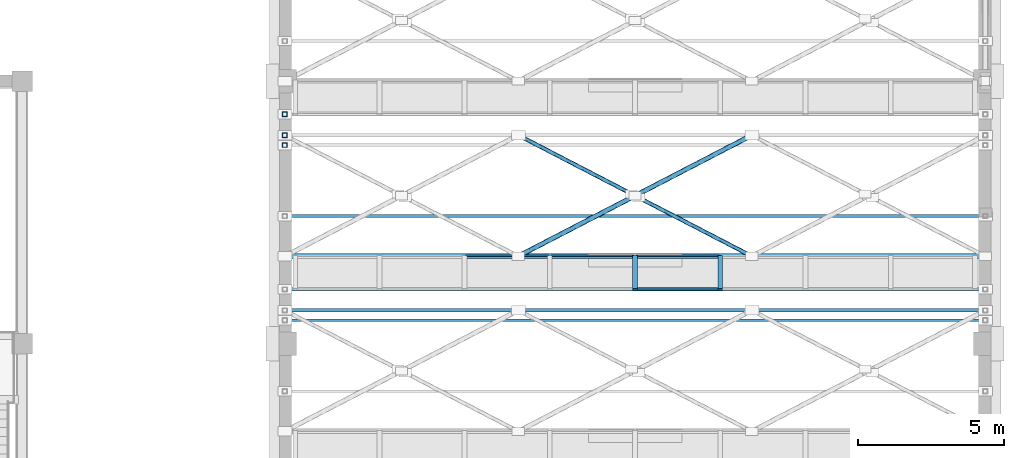
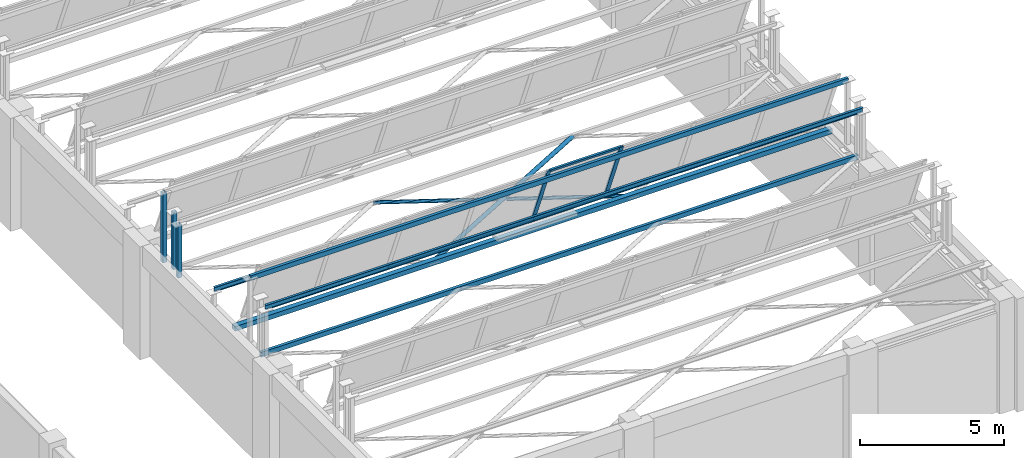
# One storey, part 53 of 98: 15 members, 2 beams, 1 element without a shape of its own.
"""IFC4 building model written with IfcOpenShell, lengths in metres."""

from ifc_helpers import new_model, si_unit, direction, frame, origin, origin_2d, place, context, subcontext, project, spatial, hollow_rectangle, hollow_circle, i_section, extrude, material, material_profile, profile_set, type_object, element, aggregate, save


model = new_model("IFC4")

# Units and contexts
model_context = context("Model", 3, precision=1e-05, world=origin(), true_north=direction((0.0, 1.0)))
body_context = subcontext(model_context, "Body", "Model", "MODEL_VIEW")
ifc_project = project(units=[si_unit("LENGTHUNIT", "METRE"), si_unit("AREAUNIT", "SQUARE_METRE"), si_unit("VOLUMEUNIT", "CUBIC_METRE"), si_unit("PLANEANGLEUNIT", "RADIAN"), si_unit("MASSUNIT", "GRAM", prefix="KILO")], contexts=[model_context])

# Site, building, storey
site_placement = place(None, origin())
site = spatial("IfcSite", under=ifc_project, at=site_placement, CompositionType="ELEMENT")
building_placement = place(site_placement, origin())
building = spatial("IfcBuilding", under=site, at=building_placement, Name="Lykobir Media Centre", CompositionType="ELEMENT")
storey_placement = place(building_placement, frame((0.0, 0.0, 10.199951171875)))
storey = spatial("IfcBuildingStorey", under=building, at=storey_placement, Name="L02", CompositionType="ELEMENT", Elevation=10.199951171875)

# Members
ifc_material_1 = material(Name="Steel S355", Category="steel")
ifc_material_profile_1 = material_profile(ifc_material_1, hollow_circle(Radius=0.06982421875, WallThickness=0.008056640625, at=origin_2d()), Name="CHS 139.7x8.0")
ifc_profile_set_1 = profile_set([ifc_material_profile_1], Name="Steel S355")
member_type_1 = type_object("IfcMemberType", Name="BR-CHS140", PredefinedType="BRACE", material=ifc_profile_set_1)
member_1_placement = place(storey_placement, frame((160.0, 84.0, 4.43994140625), z_axis=(-0.887879780504, 0.460075532247, 0.0), x_axis=(-0.460075532247, -0.887879780504, 0.0)))
element("IfcMember", 1, at=member_1_placement, inside=storey, type_object=member_type_1, Name="Diagonal brace MEM2-L02-1600-0840-0146-1561-0860-0332", PredefinedType="BRACE", context=body_context, shape_type="SweptSolid", body=[
    extrude(hollow_circle(Radius=0.06982421875, WallThickness=0.008056640625, at=origin_2d()), origin(), (0.0, 0.0, 1.0), 4.365234375),
])
member_2_placement = place(storey_placement, frame((155.875732421875, 86.136962890625, 4.43994140625), z_axis=(-0.88790262671, 0.460031439666, 0.0), x_axis=(-0.460031439666, -0.88790262671, 0.0)))
element("IfcMember", 2, at=member_2_placement, inside=storey, type_object=member_type_1, Name="Diagonal brace MEM2-L02-1559-0861-0146-1520-0881-0333", PredefinedType="BRACE", context=body_context, shape_type="SweptSolid", body=[
    extrude(hollow_circle(Radius=0.06982421875, WallThickness=0.008056640625, at=origin_2d()), origin(), (0.0, 0.0, 1.0), 4.364990234375),
])
ifc_material_profile_2 = material_profile(ifc_material_1, hollow_circle(Radius=0.084228515625, WallThickness=0.010009765625, at=origin_2d()), Name="CHS 168.3x10.0")
ifc_profile_set_2 = profile_set([ifc_material_profile_2], Name="Steel S355")
member_type_2 = type_object("IfcMemberType", Name="BR-CHS168", PredefinedType="BRACE", material=ifc_profile_set_2)
member_3_placement = place(storey_placement, frame((152.0, 84.0, 4.43994140625), z_axis=(0.887896386773, 0.460043483113, 0.0), x_axis=(-0.460043483113, 0.887896386773, 0.0)))
element("IfcMember", 3, at=member_3_placement, inside=storey, type_object=member_type_2, Name="Diagonal brace MEM2-L02-1520-0840-0146-1600-0881-0331", PredefinedType="BRACE", context=body_context, shape_type="SweptSolid", body=[
    extrude(hollow_circle(Radius=0.084228515625, WallThickness=0.010009765625, at=origin_2d()), origin(), (0.0, 0.0, 1.0), 9.010009765625),
])
ifc_material_profile_3 = material_profile(ifc_material_1, hollow_rectangle(XDim=0.159912109375, YDim=0.159912109375, WallThickness=0.008056640625, at=origin_2d()), Name="SHS 160x160x8")
ifc_profile_set_3 = profile_set([ifc_material_profile_3], Name="Steel S355")
member_type_3 = type_object("IfcMemberType", Name="BR-SHS160", PredefinedType="BRACE", material=ifc_profile_set_3)
member_4_placement = place(storey_placement, frame((144.0, 88.864990234375, 4.300048828125), z_axis=(0.0, 0.0, 1.0), x_axis=(1.0, 0.0, 0.0)))
element("IfcMember", 4, at=member_4_placement, inside=storey, type_object=member_type_3, Name="Diagonal brace MEM2-L02-1440-0889-0145-1440-0889-0322", PredefinedType="BRACE", context=body_context, shape_type="SweptSolid", body=[
    extrude(hollow_rectangle(XDim=0.159912109375, YDim=0.159912109375, WallThickness=0.008056640625, at=origin_2d()), origin(), (0.0, 0.0, 1.0), 2.958984375),
])
member_5_placement = place(storey_placement, frame((144.0, 88.14501953125, 4.43994140625), z_axis=(0.0, 0.0, 1.0), x_axis=(1.0, 0.0, 0.0)))
element("IfcMember", 5, at=member_5_placement, inside=storey, type_object=member_type_3, Name="Diagonal brace MEM2-L02-1440-0881-0146-1440-0881-0324", PredefinedType="BRACE", context=body_context, shape_type="SweptSolid", body=[
    extrude(hollow_rectangle(XDim=0.159912109375, YDim=0.159912109375, WallThickness=0.008056640625, at=origin_2d()), origin(), (0.0, 0.0, 1.0), 2.433349609375),
])
member_6_placement = place(storey_placement, frame((144.0, 87.805908203125, 4.300048828125), z_axis=(0.0, 0.0, 1.0), x_axis=(1.0, 0.0, 0.0)))
element("IfcMember", 6, at=member_6_placement, inside=storey, type_object=member_type_3, Name="Diagonal brace MEM2-L02-1440-0878-0145-1440-0878-0339", PredefinedType="BRACE", context=body_context, shape_type="SweptSolid", body=[
    extrude(hollow_rectangle(XDim=0.159912109375, YDim=0.159912109375, WallThickness=0.008056640625, at=origin_2d()), origin(), (0.0, 0.0, 1.0), 2.24462890625),
])

# Curtain wall, members
ifc_material_2 = material(Name="Anodized Aluminium AW-6060", Category="aluminium")
curtain_wall_type = type_object("IfcCurtainWallType", Name="CW-NL-V2", PredefinedType="NOTDEFINED", material=ifc_material_2)
curtain_wall_placement = place(storey_placement, origin())
curtain_wall = element("IfcCurtainWall", 7, at=curtain_wall_placement, inside=storey, type_object=curtain_wall_type, Name="Curtain wall CW-NL-V2-02", PredefinedType="NOTDEFINED")
ifc_material_profile_4 = material_profile(ifc_material_2, hollow_rectangle(XDim=0.070068359375, YDim=0.1650390625, WallThickness=0.00390625, at=origin_2d()), Name="ALU MULLION 70x165")
ifc_profile_set_4 = profile_set([ifc_material_profile_4], Name="Anodized Aluminium AW-6060")
member_type_4 = type_object("IfcMemberType", Name="CWM-165", PredefinedType="MULLION", material=ifc_profile_set_4)
member_7_placement = place(storey_placement, frame((156.0, 84.0, 4.800048828125), z_axis=(0.0, -0.374653582974, 0.927164868168), x_axis=(0.0, 0.927164868168, 0.374653582974)))
member_7 = element("IfcMember", 8, at=member_7_placement, type_object=member_type_4, Name="CW-NL-V2-02 mullion 5", PredefinedType="MULLION", context=body_context, shape_type="SweptSolid", body=[
    extrude(hollow_rectangle(XDim=0.070068359375, YDim=0.1650390625, WallThickness=0.00390625, at=origin_2d()), origin(), (0.0, 0.0, 1.0), 3.029541015625),
])
member_8_placement = place(storey_placement, frame((158.919921875, 84.0, 4.800048828125), z_axis=(0.0, -0.374653582974, 0.927164868168), x_axis=(0.0, 0.927164868168, 0.374653582974)))
member_8 = element("IfcMember", 9, at=member_8_placement, type_object=member_type_4, Name="CW-NL-V2-02 mullion 6", PredefinedType="MULLION", context=body_context, shape_type="SweptSolid", body=[
    extrude(hollow_rectangle(XDim=0.070068359375, YDim=0.1650390625, WallThickness=0.00390625, at=origin_2d()), origin(), (0.0, 0.0, 1.0), 3.029541015625),
])
ifc_material_profile_5 = material_profile(ifc_material_2, hollow_rectangle(XDim=0.070068359375, YDim=0.135009765625, WallThickness=0.00341796875, at=origin_2d()), Name="ALU TRANSOM 70x135")
ifc_profile_set_5 = profile_set([ifc_material_profile_5], Name="Anodized Aluminium AW-6060")
member_type_5 = type_object("IfcMemberType", Name="CWT-135", PredefinedType="USERDEFINED", material=ifc_profile_set_5)
member_9_placement = place(storey_placement, frame((150.195068359375, 83.98681640625, 4.83251953125), z_axis=(1.0, 0.0, 0.0), x_axis=(0.0, 0.927183854567, 0.374606593416)))
member_9 = element("IfcMember", 10, at=member_9_placement, type_object=member_type_5, Name="CW-NL-V2-02 transom 3.1", ObjectType="TRANSOM", PredefinedType="USERDEFINED", context=body_context, shape_type="SweptSolid", body=[
    extrude(hollow_rectangle(XDim=0.070068359375, YDim=0.135009765625, WallThickness=0.00341796875, at=origin_2d()), origin(), (0.0, 0.0, 1.0), 2.849853515625),
])
member_10_placement = place(storey_placement, frame((153.114990234375, 83.98681640625, 4.83251953125), z_axis=(1.0, 0.0, 0.0), x_axis=(0.0, 0.927183854567, 0.374606593416)))
member_10 = element("IfcMember", 11, at=member_10_placement, type_object=member_type_5, Name="CW-NL-V2-02 transom 4.1", ObjectType="TRANSOM", PredefinedType="USERDEFINED", context=body_context, shape_type="SweptSolid", body=[
    extrude(hollow_rectangle(XDim=0.070068359375, YDim=0.135009765625, WallThickness=0.00341796875, at=origin_2d()), origin(), (0.0, 0.0, 1.0), 2.85009765625),
])
member_11_placement = place(storey_placement, frame((156.034912109375, 83.98681640625, 4.83251953125), z_axis=(1.0, 0.0, 0.0), x_axis=(0.0, 0.927183854567, 0.374606593416)))
member_11 = element("IfcMember", 12, at=member_11_placement, type_object=member_type_5, Name="CW-NL-V2-02 transom 5.1", ObjectType="TRANSOM", PredefinedType="USERDEFINED", context=body_context, shape_type="SweptSolid", body=[
    extrude(hollow_rectangle(XDim=0.070068359375, YDim=0.135009765625, WallThickness=0.00341796875, at=origin_2d()), origin(), (0.0, 0.0, 1.0), 2.85009765625),
])
member_12_placement = place(storey_placement, frame((156.034912109375, 82.878173828125, 7.57666015625), z_axis=(1.0, 0.0, 0.0), x_axis=(0.0, 0.927183854567, 0.374606593416)))
member_12 = element("IfcMember", 13, at=member_12_placement, type_object=member_type_5, Name="CW-NL-V2-02 transom 5.2", ObjectType="TRANSOM", PredefinedType="USERDEFINED", context=body_context, shape_type="SweptSolid", body=[
    extrude(hollow_rectangle(XDim=0.070068359375, YDim=0.135009765625, WallThickness=0.00341796875, at=origin_2d()), origin(), (0.0, 0.0, 1.0), 2.85009765625),
])
aggregate(curtain_wall, [member_7, member_8, member_9, member_10, member_11, member_12])

# Beams
ifc_material_profile_6 = material_profile(ifc_material_1, i_section(OverallWidth=0.10009765625, OverallDepth=0.199951171875, WebThickness=0.005615234375, FlangeThickness=0.008544921875, at=origin_2d()), Name="IPE 200")
ifc_profile_set_6 = profile_set([ifc_material_profile_6], Name="Steel S355")
beam_type = type_object("IfcBeamType", Name="PR-IPE200", PredefinedType="JOIST", material=ifc_profile_set_6)
for number, where, z_axis, x_axis, name in (
    (14, (144.0, 81.805908203125, 6.634765625), (1.0, 0.0, 0.0), (0.0, 1.0, 0.0), "Beam BM-L02-1440-0818-1680-0818-1683"),
    (15, (144.0, 85.373291015625, 5.23046875), (1.0, 0.0, 0.0), (0.0, 1.0, 0.0), "Beam BM-L02-1440-0854-1680-0854-1543"),
):
    element("IfcBeam", number, at=place(storey_placement, frame(where, z_axis=z_axis, x_axis=x_axis)), inside=storey, type_object=beam_type, Name=name, PredefinedType="JOIST", context=body_context, shape_type="SweptSolid", body=[
        extrude(i_section(OverallWidth=0.10009765625, OverallDepth=0.199951171875, WebThickness=0.005615234375, FlangeThickness=0.008544921875, at=origin_2d()), origin(), (0.0, 0.0, 1.0), 24.0),
    ])

# Members
ifc_material_profile_7 = material_profile(ifc_material_1, hollow_rectangle(XDim=0.1201171875, YDim=0.199951171875, WallThickness=0.010009765625, at=origin_2d()), Name="RHS 200x120x10")
ifc_profile_set_7 = profile_set([ifc_material_profile_7], Name="Steel S355")
member_type_6 = type_object("IfcMemberType", Name="TC-RHS200", PredefinedType="CHORD", material=ifc_profile_set_7)
for number, where, z_axis, x_axis, name in (
    (16, (144.0, 82.864990234375, 7.259033203125), (1.0, 0.0, 0.0), (0.0, 1.0, 0.0), "Truss chord MEM2-L02-1440-0829-0175-1680-0829-0306"),
    (17, (144.0, 82.14501953125, 4.43994140625), (1.0, 0.0, 0.0), (0.0, 1.0, 0.0), "Truss chord MEM2-L02-1440-0821-0146-1680-0821-0307"),
):
    element("IfcMember", number, at=place(storey_placement, frame(where, z_axis=z_axis, x_axis=x_axis)), inside=storey, type_object=member_type_6, Name=name, PredefinedType="CHORD", context=body_context, shape_type="SweptSolid", body=[
        extrude(hollow_rectangle(XDim=0.1201171875, YDim=0.199951171875, WallThickness=0.010009765625, at=origin_2d()), origin(), (0.0, 0.0, 1.0), 24.0),
    ])
ifc_material_profile_8 = material_profile(ifc_material_1, hollow_rectangle(XDim=0.199951171875, YDim=0.199951171875, WallThickness=0.010009765625, at=origin_2d()), Name="SHS 200x200x10")
ifc_profile_set_8 = profile_set([ifc_material_profile_8], Name="Steel S355")
member_type_7 = type_object("IfcMemberType", Name="TC-SHS200", PredefinedType="CHORD", material=ifc_profile_set_8)
member_13_placement = place(storey_placement, frame((144.0, 84.0, 4.43994140625), z_axis=(1.0, 0.0, 0.0), x_axis=(0.0, 1.0, 0.0)))
element("IfcMember", 18, at=member_13_placement, inside=storey, type_object=member_type_7, Name="Truss chord MEM2-L02-1440-0840-0146-1680-0840-0321", PredefinedType="CHORD", context=body_context, shape_type="SweptSolid", body=[
    extrude(hollow_rectangle(XDim=0.199951171875, YDim=0.199951171875, WallThickness=0.010009765625, at=origin_2d()), origin(), (0.0, 0.0, 1.0), 24.0),
])

save(model, "model.ifc")
